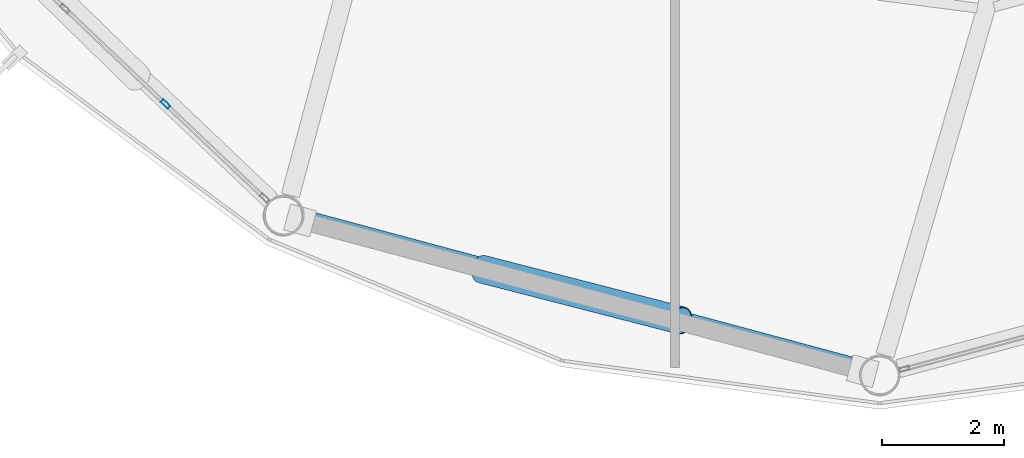
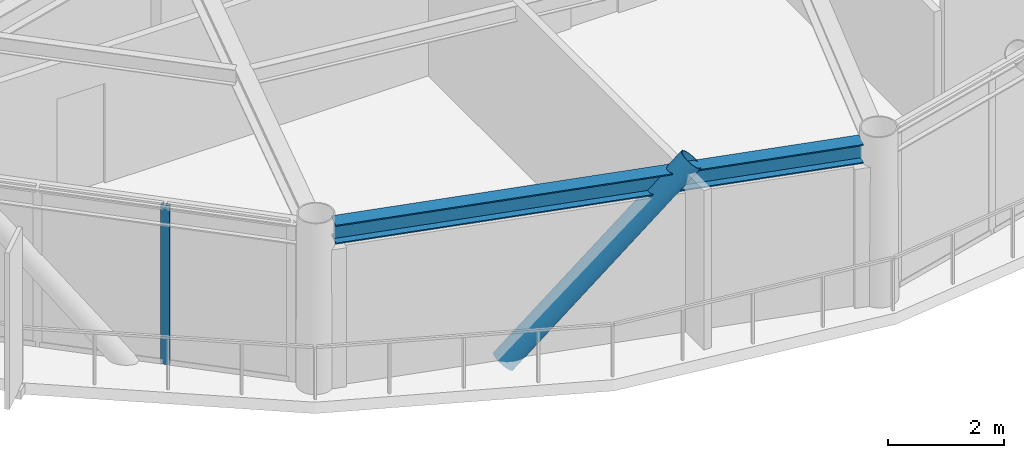
# One storey, part 3 of 28: 2 members, 1 beam, 1 element without a shape of its own.
"""IFC4 building model written with IfcOpenShell, lengths in metres."""

from ifc_helpers import new_model, si_unit, direction, frame, origin, origin_2d, place, context, subcontext, project, spatial, hollow_rectangle, hollow_circle, i_section, extrude, material, layer, layer_set, material_profile, profile_set, type_object, element, aggregate, save


model = new_model("IFC4")

# Units and contexts
model_context = context("Model", 3, precision=1e-05, world=origin(), true_north=direction((0.0, 1.0)))
body_context = subcontext(model_context, "Body", "Model", "MODEL_VIEW")
ifc_project = project(units=[si_unit("LENGTHUNIT", "METRE"), si_unit("AREAUNIT", "SQUARE_METRE"), si_unit("VOLUMEUNIT", "CUBIC_METRE"), si_unit("PLANEANGLEUNIT", "RADIAN"), si_unit("MASSUNIT", "GRAM", prefix="KILO")], contexts=[model_context])

# Site, building, storey
site_placement = place(None, origin())
site = spatial("IfcSite", under=ifc_project, at=site_placement, CompositionType="ELEMENT")
building_placement = place(site_placement, origin())
building = spatial("IfcBuilding", under=site, at=building_placement, Name="Varnakorn Sky Granary", CompositionType="ELEMENT")
storey_placement = place(building_placement, frame((0.0, 0.0, 186.0)))
storey = spatial("IfcBuildingStorey", under=building, at=storey_placement, Name="L46", CompositionType="ELEMENT", Elevation=186.0)

# Beam
ifc_material_1 = material(Name="Steel S355JR", Category="steel")
ifc_material_profile_1 = material_profile(ifc_material_1, i_section(OverallWidth=0.300048828125, OverallDepth=0.39990234375, WebThickness=0.013427734375, FlangeThickness=0.02392578125, at=origin_2d()), Name="HE 400 B")
ifc_profile_set_1 = profile_set([ifc_material_profile_1], Name="Steel S355JR")
beam_type = type_object("IfcBeamType", Name="BM-SPD-Z4", PredefinedType="SPANDREL", material=ifc_profile_set_1)
beam_placement = place(storey_placement, frame((-4.56787109375, -16.085693359375, 3.159912109375), z_axis=(0.965780427806, -0.259361071223, 0.0), x_axis=(0.259361071223, 0.965780427806, 0.0)))
element("IfcBeam", 1, at=beam_placement, inside=storey, type_object=beam_type, Name="Perimeter Spandrel Ring Beam RB09 L46", PredefinedType="SPANDREL", context=body_context, shape_type="SweptSolid", body=[
    extrude(i_section(OverallWidth=0.300048828125, OverallDepth=0.39990234375, WebThickness=0.013427734375, FlangeThickness=0.02392578125, at=origin_2d()), origin(), (0.0, 0.0, 1.0), 9.436767578125),
])

# Curtain wall, member
ifc_material_2 = material(Name="Anodised Bronze Aluminium Alloy 6063-T6", Category="aluminium")
ifc_layer = layer(ifc_material_2, 0.169921875, Name="Anodised Bronze Aluminium Alloy 6063-T6")
ifc_layer_set = layer_set([ifc_layer], Name="Anodised Bronze Aluminium Alloy 6063-T6")
curtain_wall_type = type_object("IfcCurtainWallType", Name="CW-LAB-1", PredefinedType="USERDEFINED", material=ifc_layer_set)
curtain_wall_placement = place(storey_placement, origin())
curtain_wall = element("IfcCurtainWall", 2, at=curtain_wall_placement, inside=storey, type_object=curtain_wall_type, Name="Unitised Curtain Wall CW5 CW-L46-B08", ObjectType="CURTAIN WALL", PredefinedType="USERDEFINED")
ifc_material_profile_2 = material_profile(ifc_material_2, hollow_rectangle(XDim=0.06494140625, YDim=0.159912109375, WallThickness=0.00341796875, at=origin_2d()), Name="ALU MULL 65x160")
ifc_profile_set_2 = profile_set([ifc_material_profile_2], Name="Anodised Bronze Aluminium Alloy 6063-T6")
member_type_1 = type_object("IfcMemberType", Name="CW-LAB-1-MULL", PredefinedType="MULLION", material=ifc_profile_set_2)
member_1_placement = place(storey_placement, frame((-6.8330078125, -14.204345703125, 0.0), z_axis=(0.0, 0.0, 1.0), x_axis=(-0.688291544345, -0.725434180325, 0.0)))
member_1 = element("IfcMember", 3, at=member_1_placement, type_object=member_type_1, Name="CW5 mullion 2", PredefinedType="MULLION", context=body_context, shape_type="SweptSolid", body=[
    extrude(hollow_rectangle(XDim=0.06494140625, YDim=0.159912109375, WallThickness=0.00341796875, at=origin_2d()), origin(), (0.0, 0.0, 1.0), 3.360107421875),
])
aggregate(curtain_wall, [member_1])

# Member
ifc_material_3 = material(Name="Steel S460M", Category="steel")
ifc_material_profile_3 = material_profile(ifc_material_3, hollow_circle(Radius=0.228515625, WallThickness=0.01611328125, at=origin_2d()), Name="CHS 457x16")
ifc_profile_set_3 = profile_set([ifc_material_profile_3], Name="Steel S460M")
member_type_2 = type_object("IfcMemberType", Name="MB-DIAG-T3", PredefinedType="BRACE", material=ifc_profile_set_3)
member_2_placement = place(storey_placement, frame((-1.654052734375, -16.904541015625, -0.1298828125), z_axis=(0.659861777512, -0.16986491931, 0.731934658126), x_axis=(0.249297321136, 0.968426995532, 0.0)))
element("IfcMember", 4, at=member_2_placement, inside=storey, type_object=member_type_2, Name="Perimeter CHS Diagrid Brace DG09 L46", PredefinedType="BRACE", context=body_context, shape_type="SweptSolid", body=[
    extrude(hollow_circle(Radius=0.228515625, WallThickness=0.01611328125, at=origin_2d()), origin(), (0.0, 0.0, 1.0), 4.945556640625),
])

save(model, "model.ifc")
